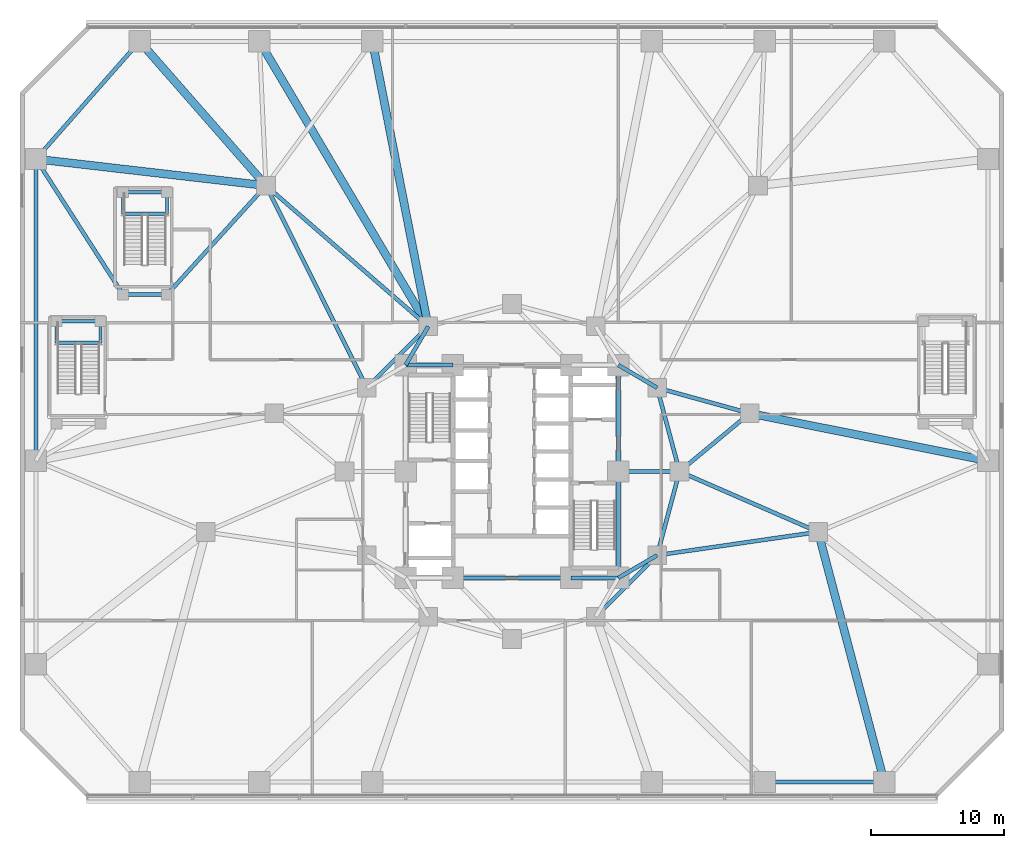
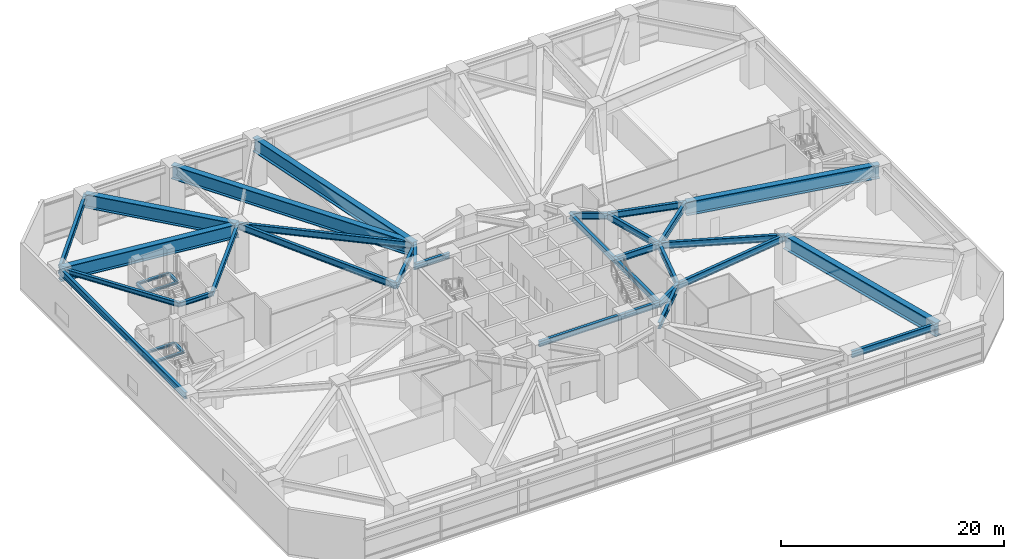
# One storey, part 8 of 28: 39 beams.
"""IFC4 building model written with IfcOpenShell, lengths in metres."""

from ifc_helpers import new_model, si_unit, direction, frame, origin, origin_2d, place, context, subcontext, project, spatial, i_section, extrude, material, material_profile, profile_set, type_object, element, save


model = new_model("IFC4")

# Units and contexts
model_context = context("Model", 3, precision=1e-05, world=origin(), true_north=direction((0.0, 1.0)))
body_context = subcontext(model_context, "Body", "Model", "MODEL_VIEW")
ifc_project = project(units=[si_unit("LENGTHUNIT", "METRE"), si_unit("AREAUNIT", "SQUARE_METRE"), si_unit("VOLUMEUNIT", "CUBIC_METRE"), si_unit("PLANEANGLEUNIT", "RADIAN"), si_unit("MASSUNIT", "GRAM", prefix="KILO")], contexts=[model_context])

# Site, building, storey
site_placement = place(None, origin())
site = spatial("IfcSite", under=ifc_project, at=site_placement, CompositionType="ELEMENT")
building_placement = place(site_placement, origin())
building = spatial("IfcBuilding", under=site, at=building_placement, Name="Terralouvre Media Tower", CompositionType="ELEMENT")
storey_placement = place(building_placement, frame((0.0, 0.0, 10.39990234375)))
storey = spatial("IfcBuildingStorey", under=building, at=storey_placement, Name="L02", CompositionType="ELEMENT", Elevation=10.39990234375)

# Beams
ifc_material_1 = material(Name="Structural steel S355J2", Category="steel")
ifc_material_profile_1 = material_profile(ifc_material_1, i_section(OverallWidth=0.239990234375, OverallDepth=0.239990234375, WebThickness=0.010009765625, FlangeThickness=0.01708984375, at=origin_2d()), Name="HEB 240")
ifc_profile_set_1 = profile_set([ifc_material_profile_1], Name="Structural steel S355J2")
beam_type_1 = type_object("IfcBeamType", Name="Opening Lintel Beam LN-240H (HEB 240)", PredefinedType="LINTEL", material=ifc_profile_set_1)
for number, where, z_axis, x_axis, name in (
    (1, (-34.25, 9.679931640625, 2.280029296875), (0.0, 1.0, 0.0), (-1.0, 0.0, 0.0), "L02 ST-03 Intermediate Landing Support Beam 1W"),
    (2, (-30.949951171875, 9.679931640625, 2.280029296875), (0.0, 1.0, 0.0), (-1.0, 0.0, 0.0), "L02 ST-03 Intermediate Landing Support Beam 1E"),
):
    element("IfcBeam", number, at=place(storey_placement, frame(where, z_axis=z_axis, x_axis=x_axis)), inside=storey, type_object=beam_type_1, Name=name, PredefinedType="LINTEL", context=body_context, shape_type="SweptSolid", body=[
        extrude(i_section(OverallWidth=0.239990234375, OverallDepth=0.239990234375, WebThickness=0.010009765625, FlangeThickness=0.01708984375, at=origin_2d()), origin(), (0.0, 0.0, 1.0), 1.6201171875),
    ])
for number, where, z_axis, x_axis, name in (
    (3, (-34.25, 9.679931640625, 2.280029296875), (1.0, 0.0, 0.0), (0.0, 1.0, 0.0), "L02 ST-03 Intermediate Landing Support Beam 1S"),
    (4, (-34.25, 11.300048828125, 2.280029296875), (1.0, 0.0, 0.0), (0.0, 1.0, 0.0), "L02 ST-03 Intermediate Landing Support Beam 1X"),
):
    element("IfcBeam", number, at=place(storey_placement, frame(where, z_axis=z_axis, x_axis=x_axis)), inside=storey, type_object=beam_type_1, Name=name, PredefinedType="LINTEL", context=body_context, shape_type="SweptSolid", body=[
        extrude(i_section(OverallWidth=0.239990234375, OverallDepth=0.239990234375, WebThickness=0.010009765625, FlangeThickness=0.01708984375, at=origin_2d()), origin(), (0.0, 0.0, 1.0), 3.300048828125),
    ])
for number, where, z_axis, x_axis, name in (
    (5, (-29.25, 19.3798828125, 2.280029296875), (0.0, 1.0, 0.0), (-1.0, 0.0, 0.0), "L02 ST-06 Intermediate Landing Support Beam 1W"),
    (6, (-25.949951171875, 19.3798828125, 2.280029296875), (0.0, 1.0, 0.0), (-1.0, 0.0, 0.0), "L02 ST-06 Intermediate Landing Support Beam 1E"),
):
    element("IfcBeam", number, at=place(storey_placement, frame(where, z_axis=z_axis, x_axis=x_axis)), inside=storey, type_object=beam_type_1, Name=name, PredefinedType="LINTEL", context=body_context, shape_type="SweptSolid", body=[
        extrude(i_section(OverallWidth=0.239990234375, OverallDepth=0.239990234375, WebThickness=0.010009765625, FlangeThickness=0.01708984375, at=origin_2d()), origin(), (0.0, 0.0, 1.0), 1.6201171875),
    ])
for number, where, z_axis, x_axis, name in (
    (7, (-29.25, 19.3798828125, 2.280029296875), (1.0, 0.0, 0.0), (0.0, 1.0, 0.0), "L02 ST-06 Intermediate Landing Support Beam 1S"),
    (8, (-29.25, 21.0, 2.280029296875), (1.0, 0.0, 0.0), (0.0, 1.0, 0.0), "L02 ST-06 Intermediate Landing Support Beam 1X"),
):
    element("IfcBeam", number, at=place(storey_placement, frame(where, z_axis=z_axis, x_axis=x_axis)), inside=storey, type_object=beam_type_1, Name=name, PredefinedType="LINTEL", context=body_context, shape_type="SweptSolid", body=[
        extrude(i_section(OverallWidth=0.239990234375, OverallDepth=0.239990234375, WebThickness=0.010009765625, FlangeThickness=0.01708984375, at=origin_2d()), origin(), (0.0, 0.0, 1.0), 3.300048828125),
    ])
ifc_material_2 = material(Name="Structural steel S355J2", Category="steel")
ifc_material_profile_2 = material_profile(ifc_material_2, i_section(OverallWidth=0.300048828125, OverallDepth=0.449951171875, WebThickness=0.013916015625, FlangeThickness=0.02587890625, at=origin_2d()), Name="HEB 450")
ifc_profile_set_2 = profile_set([ifc_material_profile_2], Name="Structural steel S355J2")
beam_type_2 = type_object("IfcBeamType", Name="Primary Floor Girder B-HEB450 (HEB 450)", PredefinedType="BEAM", material=ifc_profile_set_2)
beam_1_placement = place(storey_placement, frame((-29.25, 13.300048828125, 4.72509765625), z_axis=(1.0, 0.0, 0.0), x_axis=(0.0, 1.0, 0.0)))
element("IfcBeam", 9, at=beam_1_placement, inside=storey, type_object=beam_type_2, Name="L02 Framing Beam BM-L02-PVST61", PredefinedType="BEAM", context=body_context, shape_type="SweptSolid", body=[
    extrude(i_section(OverallWidth=0.300048828125, OverallDepth=0.449951171875, WebThickness=0.013916015625, FlangeThickness=0.02587890625, at=origin_2d()), origin(), (0.0, 0.0, 1.0), 3.300048828125),
])
ifc_material_3 = material(Name="Structural steel S355J2", Category="steel")
ifc_material_profile_3 = material_profile(ifc_material_3, i_section(OverallWidth=0.300048828125, OverallDepth=0.5, WebThickness=0.014404296875, FlangeThickness=0.028076171875, at=origin_2d()), Name="HEB 500")
ifc_profile_set_3 = profile_set([ifc_material_profile_3], Name="Structural steel S355J2")
beam_type_3 = type_object("IfcBeamType", Name="Primary Floor Girder B-HEB500 (HEB 500)", PredefinedType="BEAM", material=ifc_profile_set_3)
beam_2_placement = place(storey_placement, frame((-29.25, 13.300048828125, 4.7001953125), z_axis=(-0.540345267359, 0.841443398003, 0.0), x_axis=(-0.841443398003, -0.540345267359, 0.0)))
element("IfcBeam", 10, at=beam_2_placement, inside=storey, type_object=beam_type_3, Name="L02 Framing Beam BM-L02-PVTST61", PredefinedType="BEAM", context=body_context, shape_type="SweptSolid", body=[
    extrude(i_section(OverallWidth=0.300048828125, OverallDepth=0.5, WebThickness=0.014404296875, FlangeThickness=0.028076171875, at=origin_2d()), origin(), (0.0, 0.0, 1.0), 12.1220703125),
])
beam_3_placement = place(storey_placement, frame((-25.949951171875, 13.300048828125, 4.7001953125), z_axis=(0.672447909493, 0.740144451454, 0.0), x_axis=(-0.740144451454, 0.672447909493, 0.0)))
element("IfcBeam", 11, at=beam_3_placement, inside=storey, type_object=beam_type_3, Name="L02 Framing Beam BM-L02-PVTST62", PredefinedType="BEAM", context=body_context, shape_type="SweptSolid", body=[
    extrude(i_section(OverallWidth=0.300048828125, OverallDepth=0.5, WebThickness=0.014404296875, FlangeThickness=0.028076171875, at=origin_2d()), origin(), (0.0, 0.0, 1.0), 11.078857421875),
])
ifc_material_4 = material(Name="Structural steel S460M", Category="steel")
ifc_material_profile_4 = material_profile(ifc_material_4, i_section(OverallWidth=0.300048828125, OverallDepth=0.60009765625, WebThickness=0.015380859375, FlangeThickness=0.030029296875, at=origin_2d()), Name="HEB 600")
ifc_profile_set_4 = profile_set([ifc_material_profile_4], Name="Structural steel S460M")
beam_type_4 = type_object("IfcBeamType", Name="Primary Floor Girder B-HEB600 (HEB 600)", PredefinedType="BEAM", material=ifc_profile_set_4)
beam_4_placement = place(storey_placement, frame((-4.449951171875, -8.0, 4.650146484375), z_axis=(1.0, 0.0, 0.0), x_axis=(0.0, 1.0, 0.0)))
element("IfcBeam", 12, at=beam_4_placement, inside=storey, type_object=beam_type_4, Name="L02 Framing Beam BM-L02-CPR02", PredefinedType="BEAM", context=body_context, shape_type="SweptSolid", body=[
    extrude(i_section(OverallWidth=0.300048828125, OverallDepth=0.60009765625, WebThickness=0.015380859375, FlangeThickness=0.030029296875, at=origin_2d()), origin(), (0.0, 0.0, 1.0), 8.89990234375),
])
beam_5_placement = place(storey_placement, frame((4.449951171875, -8.0, 4.650146484375), z_axis=(1.0, 0.0, 0.0), x_axis=(0.0, 1.0, 0.0)))
element("IfcBeam", 13, at=beam_5_placement, inside=storey, type_object=beam_type_4, Name="L02 Framing Beam BM-L02-CPR03", PredefinedType="BEAM", context=body_context, shape_type="SweptSolid", body=[
    extrude(i_section(OverallWidth=0.300048828125, OverallDepth=0.60009765625, WebThickness=0.015380859375, FlangeThickness=0.030029296875, at=origin_2d()), origin(), (0.0, 0.0, 1.0), 3.550048828125),
])
for number, where, z_axis, x_axis, name in (
    (14, (8.0, -8.0, 4.650146484375), (0.0, 1.0, 0.0), (-1.0, 0.0, 0.0), "L02 Framing Beam BM-L02-CPR04"),
    (15, (8.0, 0.0, 4.650146484375), (0.0, 1.0, 0.0), (-1.0, 0.0, 0.0), "L02 Framing Beam BM-L02-CPR05"),
):
    element("IfcBeam", number, at=place(storey_placement, frame(where, z_axis=z_axis, x_axis=x_axis)), inside=storey, type_object=beam_type_4, Name=name, PredefinedType="BEAM", context=body_context, shape_type="SweptSolid", body=[
        extrude(i_section(OverallWidth=0.300048828125, OverallDepth=0.60009765625, WebThickness=0.015380859375, FlangeThickness=0.030029296875, at=origin_2d()), origin(), (0.0, 0.0, 1.0), 8.0),
    ])
beam_6_placement = place(storey_placement, frame((-4.449951171875, 8.0, 4.650146484375), z_axis=(-1.0, 0.0, 0.0), x_axis=(0.0, -1.0, 0.0)))
element("IfcBeam", 16, at=beam_6_placement, inside=storey, type_object=beam_type_4, Name="L02 Framing Beam BM-L02-CPR08", PredefinedType="BEAM", context=body_context, shape_type="SweptSolid", body=[
    extrude(i_section(OverallWidth=0.300048828125, OverallDepth=0.60009765625, WebThickness=0.015380859375, FlangeThickness=0.030029296875, at=origin_2d()), origin(), (0.0, 0.0, 1.0), 3.550048828125),
])
ifc_material_5 = material(Name="Structural steel S460M", Category="steel")
ifc_material_profile_5 = material_profile(ifc_material_5, i_section(OverallWidth=0.300048828125, OverallDepth=0.699951171875, WebThickness=0.01708984375, FlangeThickness=0.031982421875, at=origin_2d()), Name="HEB 700")
ifc_profile_set_5 = profile_set([ifc_material_profile_5], Name="Structural steel S460M")
beam_type_5 = type_object("IfcBeamType", Name="Primary Floor Girder B-HEB700 (HEB 700)", PredefinedType="BEAM", material=ifc_profile_set_5)
beam_7_placement = place(storey_placement, frame((6.300048828125, -10.911865234375, 4.60009765625), z_axis=(0.707106781187, 0.707106781187, 0.0), x_axis=(-0.707106781187, 0.707106781187, 0.0)))
element("IfcBeam", 17, at=beam_7_placement, inside=storey, type_object=beam_type_5, Name="L02 Framing Beam BM-L02-MR04", PredefinedType="BEAM", context=body_context, shape_type="SweptSolid", body=[
    extrude(i_section(OverallWidth=0.300048828125, OverallDepth=0.699951171875, WebThickness=0.01708984375, FlangeThickness=0.031982421875, at=origin_2d()), origin(), (0.0, 0.0, 1.0), 6.52197265625),
])
for number, where, z_axis, x_axis, name in (
    (18, (10.911865234375, -6.300048828125, 4.60009765625), (0.258838989821, 0.965920481897, 0.0), (-0.965920481897, 0.258838989821, 0.0), "L02 Framing Beam BM-L02-MR05"),
    (19, (12.60009765625, 0.0, 4.60009765625), (-0.258838989821, 0.965920481897, 0.0), (-0.965920481897, -0.258838989821, 0.0), "L02 Framing Beam BM-L02-MR06"),
):
    element("IfcBeam", number, at=place(storey_placement, frame(where, z_axis=z_axis, x_axis=x_axis)), inside=storey, type_object=beam_type_5, Name=name, PredefinedType="BEAM", context=body_context, shape_type="SweptSolid", body=[
        extrude(i_section(OverallWidth=0.300048828125, OverallDepth=0.699951171875, WebThickness=0.01708984375, FlangeThickness=0.031982421875, at=origin_2d()), origin(), (0.0, 0.0, 1.0), 6.522216796875),
    ])
beam_8_placement = place(storey_placement, frame((-6.300048828125, 10.911865234375, 4.60009765625), z_axis=(-0.707106781187, -0.707106781187, 0.0), x_axis=(0.707106781187, -0.707106781187, 0.0)))
element("IfcBeam", 20, at=beam_8_placement, inside=storey, type_object=beam_type_5, Name="L02 Framing Beam BM-L02-MR10", PredefinedType="BEAM", context=body_context, shape_type="SweptSolid", body=[
    extrude(i_section(OverallWidth=0.300048828125, OverallDepth=0.699951171875, WebThickness=0.01708984375, FlangeThickness=0.031982421875, at=origin_2d()), origin(), (0.0, 0.0, 1.0), 6.52197265625),
])
beam_9_placement = place(storey_placement, frame((8.0, -8.0, 4.60009765625), z_axis=(0.863602894532, 0.504172629717, 0.0), x_axis=(-0.504172629717, 0.863602894532, 0.0)))
element("IfcBeam", 21, at=beam_9_placement, inside=storey, type_object=beam_type_5, Name="L02 Framing Beam BM-L02-CM05", PredefinedType="BEAM", context=body_context, shape_type="SweptSolid", body=[
    extrude(i_section(OverallWidth=0.300048828125, OverallDepth=0.699951171875, WebThickness=0.01708984375, FlangeThickness=0.031982421875, at=origin_2d()), origin(), (0.0, 0.0, 1.0), 3.371826171875),
])
beam_10_placement = place(storey_placement, frame((8.0, 0.0, 4.60009765625), z_axis=(1.0, 0.0, 0.0), x_axis=(0.0, 1.0, 0.0)))
element("IfcBeam", 22, at=beam_10_placement, inside=storey, type_object=beam_type_5, Name="L02 Framing Beam BM-L02-CM06", PredefinedType="BEAM", context=body_context, shape_type="SweptSolid", body=[
    extrude(i_section(OverallWidth=0.300048828125, OverallDepth=0.699951171875, WebThickness=0.01708984375, FlangeThickness=0.031982421875, at=origin_2d()), origin(), (0.0, 0.0, 1.0), 4.60009765625),
])
for number, where, z_axis, x_axis, name in (
    (23, (8.0, 8.0, 4.60009765625), (0.863602894532, -0.504172629717, 0.0), (0.504172629717, 0.863602894532, 0.0), "L02 Framing Beam BM-L02-CM07"),
    (24, (-8.0, 8.0, 4.60009765625), (0.504172629717, 0.863602894532, 0.0), (-0.863602894532, 0.504172629717, 0.0), "L02 Framing Beam BM-L02-CM10"),
):
    element("IfcBeam", number, at=place(storey_placement, frame(where, z_axis=z_axis, x_axis=x_axis)), inside=storey, type_object=beam_type_5, Name=name, PredefinedType="BEAM", context=body_context, shape_type="SweptSolid", body=[
        extrude(i_section(OverallWidth=0.300048828125, OverallDepth=0.699951171875, WebThickness=0.01708984375, FlangeThickness=0.031982421875, at=origin_2d()), origin(), (0.0, 0.0, 1.0), 3.371826171875),
    ])
beam_11_placement = place(storey_placement, frame((-6.300048828125, 10.911865234375, 4.60009765625), z_axis=(-0.755234116228, 0.65545513171, 0.0), x_axis=(-0.65545513171, -0.755234116228, 0.0)))
element("IfcBeam", 25, at=beam_11_placement, inside=storey, type_object=beam_type_5, Name="L02 Framing Beam BM-L02-PM19M1", PredefinedType="BEAM", context=body_context, shape_type="SweptSolid", body=[
    extrude(i_section(OverallWidth=0.300048828125, OverallDepth=0.699951171875, WebThickness=0.01708984375, FlangeThickness=0.031982421875, at=origin_2d()), origin(), (0.0, 0.0, 1.0), 16.15380859375),
])
beam_12_placement = place(storey_placement, frame((-10.911865234375, 6.300048828125, 4.60009765625), z_axis=(-0.446655925193, 0.894705808906, 0.0), x_axis=(-0.894705808906, -0.446655925193, 0.0)))
element("IfcBeam", 26, at=beam_12_placement, inside=storey, type_object=beam_type_5, Name="L02 Framing Beam BM-L02-PM19M2", PredefinedType="BEAM", context=body_context, shape_type="SweptSolid", body=[
    extrude(i_section(OverallWidth=0.300048828125, OverallDepth=0.699951171875, WebThickness=0.01708984375, FlangeThickness=0.031982421875, at=origin_2d()), origin(), (0.0, 0.0, 1.0), 16.98876953125),
])
beam_13_placement = place(storey_placement, frame((12.60009765625, 0.0, 4.60009765625), z_axis=(0.916615903868, -0.399769039291, 0.0), x_axis=(0.399769039291, 0.916615903868, 0.0)))
element("IfcBeam", 27, at=beam_13_placement, inside=storey, type_object=beam_type_5, Name="L02 Framing Beam BM-L02-PM21M1", PredefinedType="BEAM", context=body_context, shape_type="SweptSolid", body=[
    extrude(i_section(OverallWidth=0.300048828125, OverallDepth=0.699951171875, WebThickness=0.01708984375, FlangeThickness=0.031982421875, at=origin_2d()), origin(), (0.0, 0.0, 1.0), 11.373046875),
])
beam_14_placement = place(storey_placement, frame((10.911865234375, -6.300048828125, 4.60009765625), z_axis=(0.989684877742, 0.143261448996, 0.0), x_axis=(-0.143261448996, 0.989684877742, 0.0)))
element("IfcBeam", 28, at=beam_14_placement, inside=storey, type_object=beam_type_5, Name="L02 Framing Beam BM-L02-PM21M2", PredefinedType="BEAM", context=body_context, shape_type="SweptSolid", body=[
    extrude(i_section(OverallWidth=0.300048828125, OverallDepth=0.699951171875, WebThickness=0.01708984375, FlangeThickness=0.031982421875, at=origin_2d()), origin(), (0.0, 0.0, 1.0), 12.2392578125),
])
beam_15_placement = place(storey_placement, frame((12.60009765625, 0.0, 4.60009765625), z_axis=(0.769816459478, 0.638265320001, 0.0), x_axis=(-0.638265320001, 0.769816459478, 0.0)))
element("IfcBeam", 29, at=beam_15_placement, inside=storey, type_object=beam_type_5, Name="L02 Framing Beam BM-L02-PM22M1", PredefinedType="BEAM", context=body_context, shape_type="SweptSolid", body=[
    extrude(i_section(OverallWidth=0.300048828125, OverallDepth=0.699951171875, WebThickness=0.01708984375, FlangeThickness=0.031982421875, at=origin_2d()), origin(), (0.0, 0.0, 1.0), 6.851806640625),
])
beam_16_placement = place(storey_placement, frame((10.911865234375, 6.300048828125, 4.60009765625), z_axis=(0.963780816717, -0.266695589254, 0.0), x_axis=(0.266695589254, 0.963780816717, 0.0)))
element("IfcBeam", 30, at=beam_16_placement, inside=storey, type_object=beam_type_5, Name="L02 Framing Beam BM-L02-PM22M2", PredefinedType="BEAM", context=body_context, shape_type="SweptSolid", body=[
    extrude(i_section(OverallWidth=0.300048828125, OverallDepth=0.699951171875, WebThickness=0.01708984375, FlangeThickness=0.031982421875, at=origin_2d()), origin(), (0.0, 0.0, 1.0), 7.224609375),
])
beam_17_placement = place(storey_placement, frame((19.0, -23.35009765625, 4.60009765625), z_axis=(1.0, 0.0, 0.0), x_axis=(0.0, 1.0, 0.0)))
element("IfcBeam", 31, at=beam_17_placement, inside=storey, type_object=beam_type_5, Name="L02 Framing Beam BM-L02-PR06", PredefinedType="BEAM", context=body_context, shape_type="SweptSolid", body=[
    extrude(i_section(OverallWidth=0.300048828125, OverallDepth=0.699951171875, WebThickness=0.01708984375, FlangeThickness=0.031982421875, at=origin_2d()), origin(), (0.0, 0.0, 1.0), 9.0),
])
beam_18_placement = place(storey_placement, frame((-28.0, 32.35009765625, 4.60009765625), z_axis=(-0.661199207896, -0.75021037548, 0.0), x_axis=(0.75021037548, -0.661199207896, 0.0)))
element("IfcBeam", 32, at=beam_18_placement, inside=storey, type_object=beam_type_5, Name="L02 Framing Beam BM-L02-PR16", PredefinedType="BEAM", context=body_context, shape_type="SweptSolid", body=[
    extrude(i_section(OverallWidth=0.300048828125, OverallDepth=0.699951171875, WebThickness=0.01708984375, FlangeThickness=0.031982421875, at=origin_2d()), origin(), (0.0, 0.0, 1.0), 11.796875),
])
beam_19_placement = place(storey_placement, frame((-35.800048828125, 23.5, 4.60009765625), z_axis=(0.0, -1.0, 0.0), x_axis=(1.0, 0.0, 0.0)))
element("IfcBeam", 33, at=beam_19_placement, inside=storey, type_object=beam_type_5, Name="L02 Framing Beam BM-L02-PR17", PredefinedType="BEAM", context=body_context, shape_type="SweptSolid", body=[
    extrude(i_section(OverallWidth=0.300048828125, OverallDepth=0.699951171875, WebThickness=0.01708984375, FlangeThickness=0.031982421875, at=origin_2d()), origin(), (0.0, 0.0, 1.0), 22.699951171875),
])
ifc_material_6 = material(Name="Structural steel S460M", Category="steel")
ifc_material_profile_6 = material_profile(ifc_material_6, i_section(OverallWidth=0.60009765625, OverallDepth=1.5, WebThickness=0.033935546875, FlangeThickness=0.054931640625, at=origin_2d()), Name="PG 1500x600")
ifc_profile_set_6 = profile_set([ifc_material_profile_6], Name="Structural steel S460M")
beam_type_6 = type_object("IfcBeamType", Name="Primary Floor Girder B-PG1500 (PG 1500x600)", PredefinedType="BEAM", material=ifc_profile_set_6)
beam_20_placement = place(storey_placement, frame((23.02490234375, -4.546630859375, 4.2001953125), z_axis=(0.25578250381, -0.966734353762, 0.0), x_axis=(0.966734353762, 0.25578250381, 0.0)))
element("IfcBeam", 34, at=beam_20_placement, inside=storey, type_object=beam_type_6, Name="L02 Framing Beam BM-L02-RD07", PredefinedType="BEAM", context=body_context, shape_type="SweptSolid", body=[
    extrude(i_section(OverallWidth=0.60009765625, OverallDepth=1.5, WebThickness=0.033935546875, FlangeThickness=0.054931640625, at=origin_2d()), origin(), (0.0, 0.0, 1.0), 19.450439453125),
])
beam_21_placement = place(storey_placement, frame((17.874755859375, 4.373291015625, 4.2001953125), z_axis=(0.980704802412, -0.19549447697, 0.0), x_axis=(0.19549447697, 0.980704802412, 0.0)))
element("IfcBeam", 35, at=beam_21_placement, inside=storey, type_object=beam_type_6, Name="L02 Framing Beam BM-L02-RD09", PredefinedType="BEAM", context=body_context, shape_type="SweptSolid", body=[
    extrude(i_section(OverallWidth=0.60009765625, OverallDepth=1.5, WebThickness=0.033935546875, FlangeThickness=0.054931640625, at=origin_2d()), origin(), (0.0, 0.0, 1.0), 18.278076171875),
])
beam_22_placement = place(storey_placement, frame((-6.300048828125, 10.911865234375, 4.2001953125), z_axis=(-0.192254717948, 0.981345058288, 0.0), x_axis=(-0.981345058288, -0.192254717948, 0.0)))
element("IfcBeam", 36, at=beam_22_placement, inside=storey, type_object=beam_type_6, Name="L02 Framing Beam BM-L02-RD14", PredefinedType="BEAM", context=body_context, shape_type="SweptSolid", body=[
    extrude(i_section(OverallWidth=0.60009765625, OverallDepth=1.5, WebThickness=0.033935546875, FlangeThickness=0.054931640625, at=origin_2d()), origin(), (0.0, 0.0, 1.0), 21.845703125),
])
beam_23_placement = place(storey_placement, frame((-6.300048828125, 10.911865234375, 4.2001953125), z_axis=(-0.509678035934, 0.860365212969, 0.0), x_axis=(-0.860365212969, -0.509678035934, 0.0)))
element("IfcBeam", 37, at=beam_23_placement, inside=storey, type_object=beam_type_6, Name="L02 Framing Beam BM-L02-RD15", PredefinedType="BEAM", context=body_context, shape_type="SweptSolid", body=[
    extrude(i_section(OverallWidth=0.60009765625, OverallDepth=1.5, WebThickness=0.033935546875, FlangeThickness=0.054931640625, at=origin_2d()), origin(), (0.0, 0.0, 1.0), 24.91748046875),
])
beam_24_placement = place(storey_placement, frame((-18.5, 21.5, 4.2001953125), z_axis=(-0.658746675471, 0.752364816799, 0.0), x_axis=(-0.752364816799, -0.658746675471, 0.0)))
element("IfcBeam", 38, at=beam_24_placement, inside=storey, type_object=beam_type_6, Name="L02 Framing Beam BM-L02-RD16", PredefinedType="BEAM", context=body_context, shape_type="SweptSolid", body=[
    extrude(i_section(OverallWidth=0.60009765625, OverallDepth=1.5, WebThickness=0.033935546875, FlangeThickness=0.054931640625, at=origin_2d()), origin(), (0.0, 0.0, 1.0), 14.42138671875),
])
beam_25_placement = place(storey_placement, frame((-18.5, 21.5, 4.2001953125), z_axis=(-0.993383801046, 0.114841733791, 0.0), x_axis=(-0.114841733791, -0.993383801046, 0.0)))
element("IfcBeam", 39, at=beam_25_placement, inside=storey, type_object=beam_type_6, Name="L02 Framing Beam BM-L02-RD17", PredefinedType="BEAM", context=body_context, shape_type="SweptSolid", body=[
    extrude(i_section(OverallWidth=0.60009765625, OverallDepth=1.5, WebThickness=0.033935546875, FlangeThickness=0.054931640625, at=origin_2d()), origin(), (0.0, 0.0, 1.0), 17.415283203125),
])

save(model, "model.ifc")
